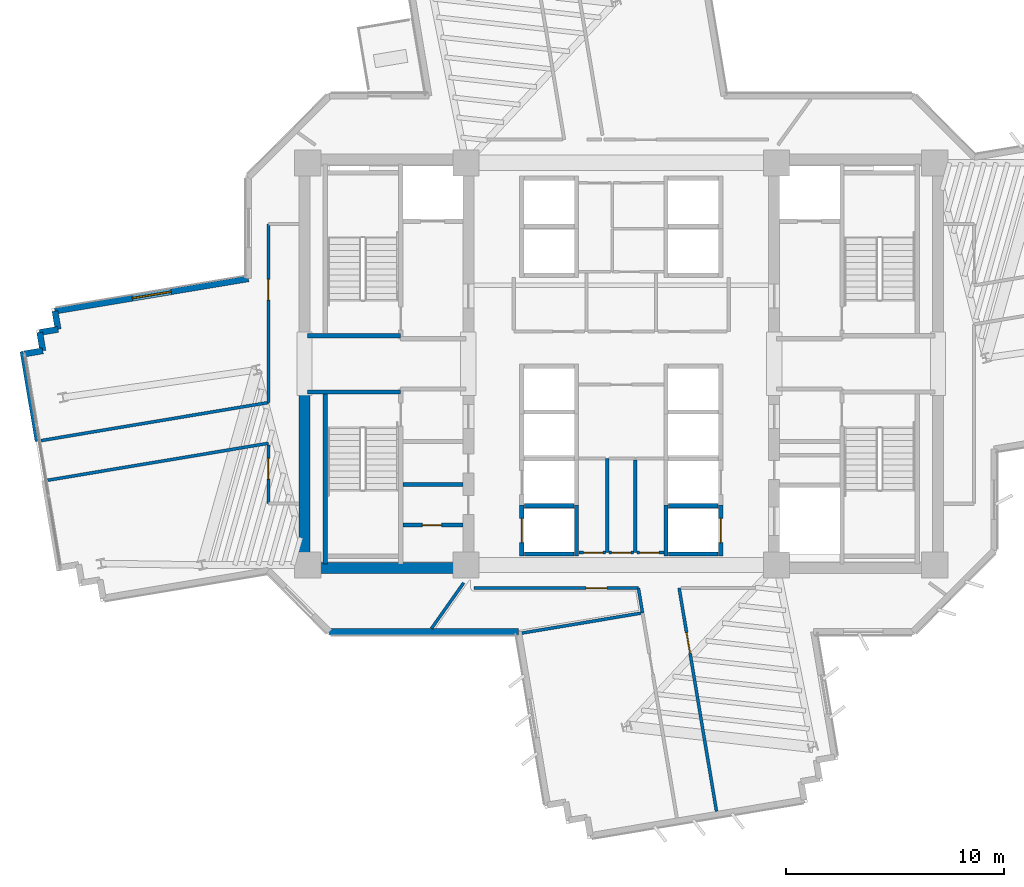
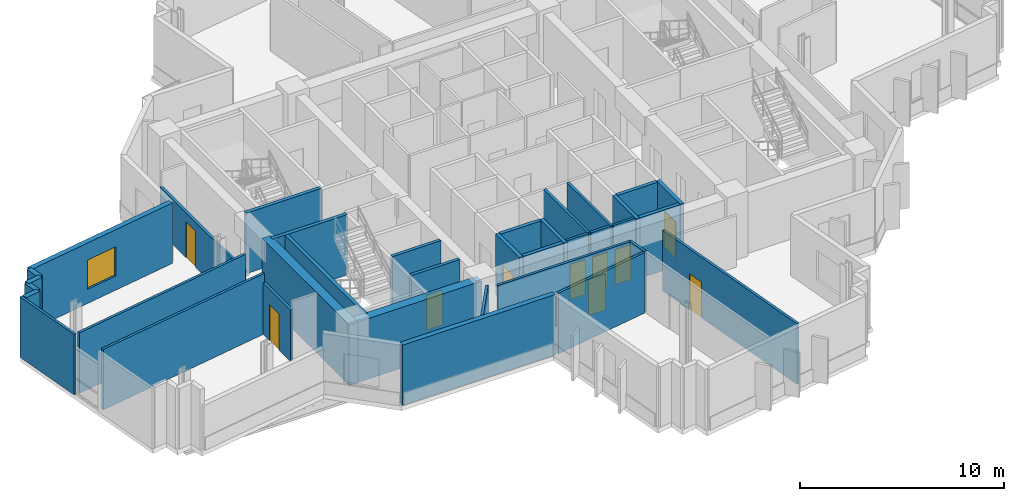
# One storey, part 7 of 15: 36 walls, 10 doors, 1 window, 11 openings.
"""IFC4 building model written with IfcOpenShell, lengths in metres."""

from ifc_helpers import new_model, si_unit, direction, frame, frame_2d, origin, place, context, subcontext, project, spatial, rectangle, extrude, source, transform, mapped, material, layer, layer_set, type_object, element, fill, save


model = new_model("IFC4")

# Units and contexts
model_context = context("Model", 3, precision=1e-05, world=origin(), true_north=direction((0.0, 1.0)))
body_context = subcontext(model_context, "Body", "Model", "MODEL_VIEW")
ifc_project = project(units=[si_unit("LENGTHUNIT", "METRE"), si_unit("AREAUNIT", "SQUARE_METRE"), si_unit("VOLUMEUNIT", "CUBIC_METRE"), si_unit("PLANEANGLEUNIT", "RADIAN"), si_unit("MASSUNIT", "GRAM", prefix="KILO")], contexts=[model_context])

# Site, building, storey
site_placement = place(None, origin())
site = spatial("IfcSite", under=ifc_project, at=site_placement, CompositionType="ELEMENT")
building_placement = place(site_placement, origin())
building = spatial("IfcBuilding", under=site, at=building_placement, Name="Zahravan Cultural Tower", CompositionType="ELEMENT")
storey_placement = place(building_placement, frame((0.0, 0.0, 135.60009765625)))
storey = spatial("IfcBuildingStorey", under=building, at=storey_placement, Name="L30", CompositionType="ELEMENT", Elevation=135.60009765625)

# Wall, opening, window
ifc_material_1 = material(Name="Precast concrete C40/50", Category="concrete")
ifc_layer_1 = layer(ifc_material_1, 0.280029296875)
ifc_layer_set_1 = layer_set([ifc_layer_1], Name="Precast concrete C40/50")
wall_type_1 = type_object("IfcWallType", Name="EW-TC-280", PredefinedType="SOLIDWALL", material=ifc_layer_set_1)
wall_1_placement = place(storey_placement, frame((10.0859375, 29.416015625, 0.0), z_axis=(0.0, 0.0, 1.0), x_axis=(0.98628492446, 0.165051651865, 0.0)))
wall_1 = element("IfcWall", 1, at=wall_1_placement, inside=storey, type_object=wall_type_1, Name="L30 Exterior Masonry Frame Wall 36", PredefinedType="SOLIDWALL", context=body_context, shape_type="SweptSolid", body=[
    extrude(rectangle(XDim=8.97705078125, YDim=0.280029296875, at=frame_2d((4.488525390625, 0.0))), origin(), (0.0, 0.0, 1.0), 3.619873046875),
])
opening_1_placement = place(wall_1_placement, frame((3.589111328125, 0.0, 0.85009765625)))
opening_1 = element("IfcOpeningElement", 2, at=opening_1_placement, cuts=wall_1, Name="Opening WN-02", PredefinedType="OPENING", context=body_context, shape_type="SweptSolid", body=[
    extrude(rectangle(XDim=1.800048828125, YDim=1.75, at=frame_2d((0.89990234375, 0.875))), frame((0.0, 0.14990234375, 0.0), z_axis=(0.0, -1.0, 0.0), x_axis=(1.0, 0.0, 0.0)), (0.0, 0.0, 1.0), 0.300048828125),
])
ifc_material_2 = material(Name="Low-E solar-control double glazing", Category="glass")
window_type = type_object("IfcWindowType", Name="WN-REC-1800X1750", PartitioningType="DOUBLE_PANEL_VERTICAL", PredefinedType="WINDOW", material=ifc_material_2)
shared_shape_1 = source(origin(), body_context, "Body", "SweptSolid", [
    extrude(rectangle(XDim=1.800048828125, YDim=1.75, at=frame_2d((0.89990234375, 0.875))), frame((0.0, 0.030029296875, 0.0), z_axis=(0.0, -1.0, 0.0), x_axis=(1.0, 0.0, 0.0)), (0.0, 0.0, 1.0), 0.06005859375),
])
window_placement = place(opening_1_placement, origin())
window = element("IfcWindow", 3, at=window_placement, inside=storey, type_object=window_type, Name="L30 Recessed Solar Window 07", OverallHeight=1.75, OverallWidth=1.800048828125, PartitioningType="DOUBLE_PANEL_VERTICAL", PredefinedType="WINDOW", context=body_context, shape_type="MappedRepresentation", body=[
    mapped(shared_shape_1, transform((0.0, 0.0, 0.0), x_axis=(1.0, 0.0, 0.0), y_axis=(0.0, 1.0, 0.0), z_axis=(0.0, 0.0, 1.0), scale=1.0)),
])
fill(opening_1, window)

# Wall, opening, door
ifc_material_3 = material(Name="Gypsum plasterboard partition")
ifc_layer_2 = layer(ifc_material_3, 0.179931640625)
ifc_layer_set_2 = layer_set([ifc_layer_2], Name="Gypsum plasterboard partition")
wall_type_2 = type_object("IfcWallType", Name="W-COMP-180", PredefinedType="PARTITIONING", material=ifc_layer_set_2)
wall_2_placement = place(storey_placement, frame((26.0, 19.6201171875, 0.0), z_axis=(0.0, 0.0, 1.0), x_axis=(1.0, 0.0, 0.0)))
wall_2 = element("IfcWall", 4, at=wall_2_placement, inside=storey, type_object=wall_type_2, Name="L30 Interior Wall 026", PredefinedType="PARTITIONING", context=body_context, shape_type="SweptSolid", body=[
    extrude(rectangle(XDim=2.75, YDim=0.179931640625, at=frame_2d((1.375, 0.0))), origin(), (0.0, 0.0, 1.0), 3.619873046875),
])
opening_2_placement = place(wall_2_placement, frame((0.89990234375, 0.0, 0.0)))
opening_2 = element("IfcOpeningElement", 5, at=opening_2_placement, cuts=wall_2, Name="Opening D-L30-09", PredefinedType="OPENING", context=body_context, shape_type="SweptSolid", body=[
    extrude(rectangle(XDim=0.8798828125, YDim=2.10009765625, at=frame_2d((0.43994140625, 1.050048828125))), frame((0.0, 0.099853515625, 0.0), z_axis=(0.0, -1.0, 0.0), x_axis=(1.0, 0.0, 0.0)), (0.0, 0.0, 1.0), 0.199951171875),
])
ifc_material_4 = material(Name="Steel ASTM A572 Grade 50", Category="steel")
door_type_1 = type_object("IfcDoorType", Name="DR-SVC-880", OperationType="NOTDEFINED", PredefinedType="DOOR", material=ifc_material_4)
shared_shape_2 = source(origin(), body_context, "Body", "SweptSolid", [
    extrude(rectangle(XDim=0.8798828125, YDim=2.10009765625, at=frame_2d((0.43994140625, 1.050048828125))), frame((0.0, 0.02490234375, 0.0), z_axis=(0.0, -1.0, 0.0), x_axis=(1.0, 0.0, 0.0)), (0.0, 0.0, 1.0), 0.050048828125),
])
door_1_placement = place(opening_2_placement, origin())
door_1 = element("IfcDoor", 6, at=door_1_placement, inside=storey, type_object=door_type_1, Name="L30 Door D-L30-09", OperationType="SINGLE_SWING_RIGHT", OverallHeight=2.10009765625, OverallWidth=0.8798828125, PredefinedType="DOOR", context=body_context, shape_type="MappedRepresentation", body=[
    mapped(shared_shape_2, transform((0.0, 0.0, 0.0), x_axis=(1.0, 0.0, 0.0), y_axis=(0.0, 1.0, 0.0), z_axis=(0.0, 0.0, 1.0), scale=1.0)),
])
fill(opening_2, door_1)

ifc_layer_3 = layer(ifc_material_3, 0.139892578125)
ifc_layer_set_3 = layer_set([ifc_layer_3], Name="Gypsum plasterboard partition")
wall_type_3 = type_object("IfcWallType", Name="W-PART-140", PredefinedType="PARTITIONING", material=ifc_layer_set_3)
wall_3_placement = place(storey_placement, frame((36.56494140625, 18.360107421875, 0.0), z_axis=(0.0, 0.0, 1.0), x_axis=(-1.0, 0.0, 0.0)))
wall_3 = element("IfcWall", 7, at=wall_3_placement, inside=storey, type_object=wall_type_3, Name="L30 Interior Wall 077", PredefinedType="PARTITIONING", context=body_context, shape_type="SweptSolid", body=[
    extrude(rectangle(XDim=1.1298828125, YDim=0.139892578125, at=frame_2d((0.56494140625, 0.0))), origin(), (0.0, 0.0, 1.0), 3.619873046875),
])
opening_3_placement = place(wall_3_placement, frame((0.125, 0.0, 0.0)))
opening_3 = element("IfcOpeningElement", 8, at=opening_3_placement, cuts=wall_3, Name="Opening D-L30-19", PredefinedType="OPENING", context=body_context, shape_type="SweptSolid", body=[
    extrude(rectangle(XDim=0.8798828125, YDim=2.10009765625, at=frame_2d((0.43994140625, 1.050048828125))), frame((0.0, 0.079833984375, 0.0), z_axis=(0.0, -1.0, 0.0), x_axis=(1.0, 0.0, 0.0)), (0.0, 0.0, 1.0), 0.159912109375),
])
ifc_material_5 = material(Name="Anodised bronze-aluminium mullion", Category="aluminium")
door_type_2 = type_object("IfcDoorType", Name="DR-ROOM-880", OperationType="NOTDEFINED", PredefinedType="DOOR", material=ifc_material_5)
door_2_placement = place(opening_3_placement, origin())
door_2 = element("IfcDoor", 9, at=door_2_placement, inside=storey, type_object=door_type_2, Name="L30 Door D-L30-19", OperationType="SINGLE_SWING_RIGHT", OverallHeight=2.10009765625, OverallWidth=0.8798828125, PredefinedType="DOOR", context=body_context, shape_type="MappedRepresentation", body=[
    mapped(shared_shape_2, transform((0.0, 0.0, 0.0), x_axis=(1.0, 0.0, 0.0), y_axis=(0.0, 1.0, 0.0), z_axis=(0.0, 0.0, 1.0), scale=1.0)),
])
fill(opening_3, door_2)

wall_4_placement = place(storey_placement, frame((35.284912109375, 18.360107421875, 0.0), z_axis=(0.0, 0.0, 1.0), x_axis=(-1.0, 0.0, 0.0)))
wall_4 = element("IfcWall", 10, at=wall_4_placement, inside=storey, type_object=wall_type_3, Name="L30 Interior Wall 079", PredefinedType="PARTITIONING", context=body_context, shape_type="SweptSolid", body=[
    extrude(rectangle(XDim=1.22998046875, YDim=0.139892578125, at=frame_2d((0.614990234375, 0.0))), origin(), (0.0, 0.0, 1.0), 3.619873046875),
])
opening_4_placement = place(wall_4_placement, frame((0.12255859375, 0.0, 0.0)))
opening_4 = element("IfcOpeningElement", 11, at=opening_4_placement, cuts=wall_4, Name="Opening D-L30-18", PredefinedType="OPENING", context=body_context, shape_type="SweptSolid", body=[
    extrude(rectangle(XDim=0.8798828125, YDim=2.10009765625, at=frame_2d((0.43994140625, 1.050048828125))), frame((0.0, 0.079833984375, 0.0), z_axis=(0.0, -1.0, 0.0), x_axis=(1.0, 0.0, 0.0)), (0.0, 0.0, 1.0), 0.159912109375),
])
door_3_placement = place(opening_4_placement, origin())
door_3 = element("IfcDoor", 12, at=door_3_placement, inside=storey, type_object=door_type_2, Name="L30 Door D-L30-18", OperationType="SINGLE_SWING_LEFT", OverallHeight=2.10009765625, OverallWidth=0.8798828125, PredefinedType="DOOR", context=body_context, shape_type="MappedRepresentation", body=[
    mapped(shared_shape_2, transform((0.0, 0.0, 0.0), x_axis=(1.0, 0.0, 0.0), y_axis=(0.0, 1.0, 0.0), z_axis=(0.0, 0.0, 1.0), scale=1.0)),
])
fill(opening_4, door_3)

wall_5_placement = place(storey_placement, frame((37.945068359375, 18.360107421875, 0.0), z_axis=(0.0, 0.0, 1.0), x_axis=(-1.0, 0.0, 0.0)))
wall_5 = element("IfcWall", 13, at=wall_5_placement, inside=storey, type_object=wall_type_3, Name="L30 Interior Wall 081", PredefinedType="PARTITIONING", context=body_context, shape_type="SweptSolid", body=[
    extrude(rectangle(XDim=1.22998046875, YDim=0.139892578125, at=frame_2d((0.614990234375, 0.0))), origin(), (0.0, 0.0, 1.0), 3.619873046875),
])
opening_5_placement = place(wall_5_placement, frame((0.2275390625, 0.0, 0.0)))
opening_5 = element("IfcOpeningElement", 14, at=opening_5_placement, cuts=wall_5, Name="Opening D-L30-20", PredefinedType="OPENING", context=body_context, shape_type="SweptSolid", body=[
    extrude(rectangle(XDim=0.8798828125, YDim=2.10009765625, at=frame_2d((0.43994140625, 1.050048828125))), frame((0.0, 0.079833984375, 0.0), z_axis=(0.0, -1.0, 0.0), x_axis=(1.0, 0.0, 0.0)), (0.0, 0.0, 1.0), 0.159912109375),
])
door_4_placement = place(opening_5_placement, origin())
door_4 = element("IfcDoor", 15, at=door_4_placement, inside=storey, type_object=door_type_2, Name="L30 Door D-L30-20", OperationType="SINGLE_SWING_LEFT", OverallHeight=2.10009765625, OverallWidth=0.8798828125, PredefinedType="DOOR", context=body_context, shape_type="MappedRepresentation", body=[
    mapped(shared_shape_2, transform((0.0, 0.0, 0.0), x_axis=(1.0, 0.0, 0.0), y_axis=(0.0, 1.0, 0.0), z_axis=(0.0, 0.0, 1.0), scale=1.0)),
])
fill(opening_5, door_4)

wall_6_placement = place(storey_placement, frame((29.257568359375, 16.740234375, 0.0), z_axis=(0.0, 0.0, 1.0), x_axis=(0.999999999474, -3.2436991e-05, 0.0)))
wall_6 = element("IfcWall", 16, at=wall_6_placement, inside=storey, type_object=wall_type_3, Name="L30 Interior Wall 092", PredefinedType="PARTITIONING", context=body_context, shape_type="SweptSolid", body=[
    extrude(rectangle(XDim=7.526611328125, YDim=0.139892578125, at=frame_2d((3.76318359375, 0.0))), origin(), (0.0, 0.0, 1.0), 3.619873046875),
])
opening_6_placement = place(wall_6_placement, frame((5.129638671875, 0.0, 0.0)))
opening_6 = element("IfcOpeningElement", 17, at=opening_6_placement, cuts=wall_6, Name="Opening D-L30-26", PredefinedType="OPENING", context=body_context, shape_type="SweptSolid", body=[
    extrude(rectangle(XDim=0.949951171875, YDim=2.14990234375, at=frame_2d((0.47509765625, 1.074951171875))), frame((0.0, 0.079833984375, 0.0), z_axis=(0.0, -1.0, 0.0), x_axis=(1.0, 0.0, 0.0)), (0.0, 0.0, 1.0), 0.159912109375),
])
door_type_3 = type_object("IfcDoorType", Name="DR-ROOM-950", OperationType="NOTDEFINED", PredefinedType="DOOR", material=ifc_material_5)
shared_shape_3 = source(origin(), body_context, "Body", "SweptSolid", [
    extrude(rectangle(XDim=0.949951171875, YDim=2.14990234375, at=frame_2d((0.47509765625, 1.074951171875))), frame((0.0, 0.02490234375, 0.0), z_axis=(0.0, -1.0, 0.0), x_axis=(1.0, 0.0, 0.0)), (0.0, 0.0, 1.0), 0.050048828125),
])
door_5_placement = place(opening_6_placement, origin())
door_5 = element("IfcDoor", 18, at=door_5_placement, inside=storey, type_object=door_type_3, Name="L30 Door D-L30-26", OperationType="SINGLE_SWING_LEFT", OverallHeight=2.14990234375, OverallWidth=0.949951171875, PredefinedType="DOOR", context=body_context, shape_type="MappedRepresentation", body=[
    mapped(shared_shape_3, transform((0.0, 0.0, 0.0), x_axis=(1.0, 0.0, 0.0), y_axis=(0.0, 1.0, 0.0), z_axis=(0.0, 0.0, 1.0), scale=1.0)),
])
fill(opening_6, door_5)

wall_7_placement = place(storey_placement, frame((19.853759765625, 33.3994140625, 0.0), z_axis=(0.0, 0.0, 1.0), x_axis=(-0.000448283031, -0.999999899521, 0.0)))
wall_7 = element("IfcWall", 19, at=wall_7_placement, inside=storey, type_object=wall_type_3, Name="L30 Interior Wall 097", PredefinedType="PARTITIONING", context=body_context, shape_type="SweptSolid", body=[
    extrude(rectangle(XDim=8.169189453125, YDim=0.139892578125, at=frame_2d((4.08447265625, 0.0))), origin(), (0.0, 0.0, 1.0), 2.69287109375),
])
opening_7_placement = place(wall_7_placement, frame((2.52685546875, 0.0, 0.0)))
opening_7 = element("IfcOpeningElement", 20, at=opening_7_placement, cuts=wall_7, Name="Opening D-L30-24", PredefinedType="OPENING", context=body_context, shape_type="SweptSolid", body=[
    extrude(rectangle(XDim=0.949951171875, YDim=2.14990234375, at=frame_2d((0.47509765625, 1.074951171875))), frame((0.0, 0.079833984375, 0.0), z_axis=(0.0, -1.0, 0.0), x_axis=(1.0, 0.0, 0.0)), (0.0, 0.0, 1.0), 0.159912109375),
])
door_6_placement = place(opening_7_placement, origin())
door_6 = element("IfcDoor", 21, at=door_6_placement, inside=storey, type_object=door_type_3, Name="L30 Door D-L30-24", OperationType="SINGLE_SWING_LEFT", OverallHeight=2.14990234375, OverallWidth=0.949951171875, PredefinedType="DOOR", context=body_context, shape_type="MappedRepresentation", body=[
    mapped(shared_shape_3, transform((0.0, 0.0, 0.0), x_axis=(1.0, 0.0, 0.0), y_axis=(0.0, 1.0, 0.0), z_axis=(0.0, 0.0, 1.0), scale=1.0)),
])
fill(opening_7, door_6)

wall_8_placement = place(storey_placement, frame((40.359375, 6.523681640625, 0.0), z_axis=(0.0, 0.0, 1.0), x_axis=(-0.165056345303, 0.986284139016, 0.0)))
wall_8 = element("IfcWall", 22, at=wall_8_placement, inside=storey, type_object=wall_type_3, Name="L30 Interior Wall 102", PredefinedType="PARTITIONING", context=body_context, shape_type="SweptSolid", body=[
    extrude(rectangle(XDim=10.3583984375, YDim=0.139892578125, at=frame_2d((5.17919921875, 0.0))), origin(), (0.0, 0.0, 1.0), 3.619873046875),
])
opening_8_placement = place(wall_8_placement, frame((7.33837890625, 0.0, 0.0)))
opening_8 = element("IfcOpeningElement", 23, at=opening_8_placement, cuts=wall_8, Name="Opening D-L30-28", PredefinedType="OPENING", context=body_context, shape_type="SweptSolid", body=[
    extrude(rectangle(XDim=0.949951171875, YDim=2.14990234375, at=frame_2d((0.47509765625, 1.074951171875))), frame((0.0, 0.079833984375, 0.0), z_axis=(0.0, -1.0, 0.0), x_axis=(1.0, 0.0, 0.0)), (0.0, 0.0, 1.0), 0.159912109375),
])
door_7_placement = place(opening_8_placement, origin())
door_7 = element("IfcDoor", 24, at=door_7_placement, inside=storey, type_object=door_type_3, Name="L30 Door D-L30-28", OperationType="SINGLE_SWING_LEFT", OverallHeight=2.14990234375, OverallWidth=0.949951171875, PredefinedType="DOOR", context=body_context, shape_type="MappedRepresentation", body=[
    mapped(shared_shape_3, transform((0.0, 0.0, 0.0), x_axis=(1.0, 0.0, 0.0), y_axis=(0.0, 1.0, 0.0), z_axis=(0.0, 0.0, 1.0), scale=1.0)),
])
fill(opening_8, door_7)

wall_9_placement = place(storey_placement, frame((19.85009765625, 23.28857421875, 0.0), z_axis=(0.0, 0.0, 1.0), x_axis=(0.000363372069, -0.99999993398, 0.0)))
wall_9 = element("IfcWall", 25, at=wall_9_placement, inside=storey, type_object=wall_type_3, Name="L30 Interior Wall 107", PredefinedType="PARTITIONING", context=body_context, shape_type="SweptSolid", body=[
    extrude(rectangle(XDim=2.6875, YDim=0.139892578125, at=frame_2d((1.34375, 0.0))), origin(), (0.0, 0.0, 1.0), 3.078857421875),
])
opening_9_placement = place(wall_9_placement, frame((0.608154296875, 0.0, 0.0)))
opening_9 = element("IfcOpeningElement", 26, at=opening_9_placement, cuts=wall_9, Name="Opening D-L30-25", PredefinedType="OPENING", context=body_context, shape_type="SweptSolid", body=[
    extrude(rectangle(XDim=0.949951171875, YDim=2.14990234375, at=frame_2d((0.47509765625, 1.074951171875))), frame((0.0, 0.079833984375, 0.0), z_axis=(0.0, -1.0, 0.0), x_axis=(1.0, 0.0, 0.0)), (0.0, 0.0, 1.0), 0.159912109375),
])
door_8_placement = place(opening_9_placement, origin())
door_8 = element("IfcDoor", 27, at=door_8_placement, inside=storey, type_object=door_type_3, Name="L30 Door D-L30-25", OperationType="SINGLE_SWING_RIGHT", OverallHeight=2.14990234375, OverallWidth=0.949951171875, PredefinedType="DOOR", context=body_context, shape_type="MappedRepresentation", body=[
    mapped(shared_shape_3, transform((0.0, 0.0, 0.0), x_axis=(1.0, 0.0, 0.0), y_axis=(0.0, 1.0, 0.0), z_axis=(0.0, 0.0, 1.0), scale=1.0)),
])
fill(opening_9, door_8)

ifc_material_6 = material(Name="Concrete C45/55", Category="concrete")
ifc_layer_4 = layer(ifc_material_6, 0.199951171875)
ifc_layer_set_4 = layer_set([ifc_layer_4], Name="Concrete C45/55")
wall_type_4 = type_object("IfcWallType", Name="W-SHAFT-200", PredefinedType="SOLIDWALL", material=ifc_layer_set_4)
wall_10_placement = place(storey_placement, frame((31.449951171875, 18.199951171875, 0.0), z_axis=(0.0, 0.0, 1.0), x_axis=(0.0, 1.0, 0.0)))
wall_10 = element("IfcWall", 28, at=wall_10_placement, inside=storey, type_object=wall_type_4, Name="L30 Interior Wall 047", PredefinedType="SOLIDWALL", context=body_context, shape_type="SweptSolid", body=[
    extrude(rectangle(XDim=2.35009765625, YDim=0.199951171875, at=frame_2d((1.175048828125, 0.0))), origin(), (0.0, 0.0, 1.0), 3.619873046875),
])
opening_10_placement = place(wall_10_placement, frame((0.625, 0.0, 0.0)))
opening_10 = element("IfcOpeningElement", 29, at=opening_10_placement, cuts=wall_10, Name="Opening LD-L30-05", PredefinedType="OPENING", context=body_context, shape_type="SweptSolid", body=[
    extrude(rectangle(XDim=1.10009765625, YDim=2.14990234375, at=frame_2d((0.550048828125, 1.074951171875))), frame((0.0, 0.10986328125, 0.0), z_axis=(0.0, -1.0, 0.0), x_axis=(1.0, 0.0, 0.0)), (0.0, 0.0, 1.0), 0.219970703125),
])
door_type_4 = type_object("IfcDoorType", Name="DR-LIFT-1100", OperationType="DOUBLE_DOOR_SLIDING", PredefinedType="DOOR", material=ifc_material_4)
shared_shape_4 = source(origin(), body_context, "Body", "SweptSolid", [
    extrude(rectangle(XDim=1.10009765625, YDim=2.14990234375, at=frame_2d((0.550048828125, 1.074951171875))), frame((0.0, 0.02490234375, 0.0), z_axis=(0.0, -1.0, 0.0), x_axis=(1.0, 0.0, 0.0)), (0.0, 0.0, 1.0), 0.050048828125),
])
door_9_placement = place(opening_10_placement, origin())
door_9 = element("IfcDoor", 30, at=door_9_placement, inside=storey, type_object=door_type_4, Name="L30 Door LD-L30-05", OperationType="DOUBLE_DOOR_SLIDING", OverallHeight=2.14990234375, OverallWidth=1.10009765625, PredefinedType="DOOR", context=body_context, shape_type="MappedRepresentation", body=[
    mapped(shared_shape_4, transform((0.0, 0.0, 0.0), x_axis=(1.0, 0.0, 0.0), y_axis=(0.0, 1.0, 0.0), z_axis=(0.0, 0.0, 1.0), scale=1.0)),
])
fill(opening_10, door_9)

wall_11_placement = place(storey_placement, frame((40.550048828125, 18.199951171875, 0.0), z_axis=(0.0, 0.0, 1.0), x_axis=(0.0, 1.0, 0.0)))
wall_11 = element("IfcWall", 31, at=wall_11_placement, inside=storey, type_object=wall_type_4, Name="L30 Interior Wall 055", PredefinedType="SOLIDWALL", context=body_context, shape_type="SweptSolid", body=[
    extrude(rectangle(XDim=2.35009765625, YDim=0.199951171875, at=frame_2d((1.175048828125, 0.0))), origin(), (0.0, 0.0, 1.0), 3.619873046875),
])
opening_11_placement = place(wall_11_placement, frame((0.625, 0.0, 0.0)))
opening_11 = element("IfcOpeningElement", 32, at=opening_11_placement, cuts=wall_11, Name="Opening LD-L30-07", PredefinedType="OPENING", context=body_context, shape_type="SweptSolid", body=[
    extrude(rectangle(XDim=1.10009765625, YDim=2.14990234375, at=frame_2d((0.550048828125, 1.074951171875))), frame((0.0, 0.10986328125, 0.0), z_axis=(0.0, -1.0, 0.0), x_axis=(1.0, 0.0, 0.0)), (0.0, 0.0, 1.0), 0.219970703125),
])
door_10_placement = place(opening_11_placement, origin())
door_10 = element("IfcDoor", 33, at=door_10_placement, inside=storey, type_object=door_type_4, Name="L30 Door LD-L30-07", OperationType="DOUBLE_DOOR_SLIDING", OverallHeight=2.14990234375, OverallWidth=1.10009765625, PredefinedType="DOOR", context=body_context, shape_type="MappedRepresentation", body=[
    mapped(shared_shape_4, transform((0.0, 0.0, 0.0), x_axis=(1.0, 0.0, 0.0), y_axis=(0.0, 1.0, 0.0), z_axis=(0.0, 0.0, 1.0), scale=1.0)),
])
fill(opening_11, door_10)

# Walls
ifc_material_7 = material(Name="Concrete C60/75", Category="concrete")
ifc_layer_5 = layer(ifc_material_7, 0.5)
ifc_layer_set_5 = layer_set([ifc_layer_5], Name="Concrete C60/75")
wall_type_5 = type_object("IfcWallType", Name="CW-SHEAR-500-C60", PredefinedType="SHEAR", material=ifc_layer_set_5)
shared_shape_5 = source(origin(), body_context, "Body", "SweptSolid", [
    extrude(rectangle(XDim=8.550048828125, YDim=0.5, at=frame_2d((4.27490234375, 0.0))), origin(), (0.0, 0.0, 1.0), 3.619873046875),
])
wall_12_placement = place(storey_placement, frame((21.5, 17.39990234375, 0.0), z_axis=(0.0, 0.0, 1.0), x_axis=(0.0, 1.0, 0.0)))
element("IfcWall", 34, at=wall_12_placement, inside=storey, type_object=wall_type_5, Name="L30 Core Shear Wall CW-W-WS-L30", PredefinedType="SHEAR", context=body_context, shape_type="MappedRepresentation", body=[
    mapped(shared_shape_5, transform((0.0, 0.0, 0.0), x_axis=(1.0, 0.0, 0.0), y_axis=(0.0, 1.0, 0.0), z_axis=(0.0, 0.0, 1.0), scale=1.0)),
])
shared_shape_6 = source(origin(), body_context, "Body", "SweptSolid", [
    extrude(rectangle(XDim=7.0, YDim=0.5, at=frame_2d((3.5, 0.0))), origin(), (0.0, 0.0, 1.0), 3.619873046875),
])
wall_13_placement = place(storey_placement, frame((21.75, 17.64990234375, 0.0), z_axis=(0.0, 0.0, 1.0), x_axis=(1.0, 0.0, 0.0)))
element("IfcWall", 35, at=wall_13_placement, inside=storey, type_object=wall_type_5, Name="L30 Core Shear Wall CW-W-S-L30", PredefinedType="SHEAR", context=body_context, shape_type="MappedRepresentation", body=[
    mapped(shared_shape_6, transform((0.0, 0.0, 0.0), x_axis=(1.0, 0.0, 0.0), y_axis=(0.0, 1.0, 0.0), z_axis=(0.0, 0.0, 1.0), scale=1.0)),
])
shared_shape_7 = source(origin(), body_context, "Body", "SweptSolid", [
    extrude(rectangle(XDim=0.85009765625, YDim=0.280029296875, at=frame_2d((0.425048828125, 0.0))), origin(), (0.0, 0.0, 1.0), 3.619873046875),
])
for number, where, z_axis, x_axis, name in (
    (36, (8.689697265625, 27.458740234375, 0.0), (0.0, 0.0, 1.0), (0.986269444653, 0.16514412658, 0.0), "L30 Exterior Masonry Frame Wall 32"),
    (37, (9.528076171875, 27.59912109375, 0.0), (0.0, 0.0, 1.0), (-0.16514412658, 0.986269444653, 0.0), "L30 Exterior Masonry Frame Wall 33"),
    (38, (9.3876953125, 28.4375, 0.0), (0.0, 0.0, 1.0), (0.986316186628, 0.164864732418, 0.0), "L30 Exterior Masonry Frame Wall 34"),
    (39, (10.22607421875, 28.57763671875, 0.0), (0.0, 0.0, 1.0), (-0.164864732418, 0.986316186628, 0.0), "L30 Exterior Masonry Frame Wall 35"),
):
    element("IfcWall", number, at=place(storey_placement, frame(where, z_axis=z_axis, x_axis=x_axis)), inside=storey, type_object=wall_type_1, Name=name, PredefinedType="SOLIDWALL", context=body_context, shape_type="MappedRepresentation", body=[
        mapped(shared_shape_7, transform((0.0, 0.0, 0.0), x_axis=(1.0, 0.0, 0.0), y_axis=(0.0, 1.0, 0.0), z_axis=(0.0, 0.0, 1.0), scale=1.0)),
    ])
shared_shape_8 = source(origin(), body_context, "Body", "SweptSolid", [
    extrude(rectangle(XDim=8.64111328125, YDim=0.280029296875, at=frame_2d((4.320556640625, 0.0))), origin(), (0.0, 0.0, 1.0), 3.619873046875),
])
wall_14_placement = place(storey_placement, frame((31.299072265625, 14.739990234375, 0.0), z_axis=(0.0, 0.0, 1.0), x_axis=(-1.0, 0.0, 0.0)))
element("IfcWall", 40, at=wall_14_placement, inside=storey, type_object=wall_type_1, Name="L30 Exterior Masonry Frame Wall 25", PredefinedType="SOLIDWALL", context=body_context, shape_type="MappedRepresentation", body=[
    mapped(shared_shape_8, transform((0.0, 0.0, 0.0), x_axis=(1.0, 0.0, 0.0), y_axis=(0.0, 1.0, 0.0), z_axis=(0.0, 0.0, 1.0), scale=1.0)),
])
shared_shape_9 = source(origin(), body_context, "Body", "SweptSolid", [
    extrude(rectangle(XDim=7.869873046875, YDim=0.199951171875, at=frame_2d((3.93505859375, 0.0))), origin(), (0.0, 0.0, 1.0), 3.619873046875),
])
wall_15_placement = place(storey_placement, frame((22.449951171875, 17.85009765625, 0.0), z_axis=(0.0, 0.0, 1.0), x_axis=(0.0, 1.0, 0.0)))
element("IfcWall", 41, at=wall_15_placement, inside=storey, type_object=wall_type_4, Name="L30 Interior Wall 001", PredefinedType="SOLIDWALL", context=body_context, shape_type="MappedRepresentation", body=[
    mapped(shared_shape_9, transform((0.0, 0.0, 0.0), x_axis=(1.0, 0.0, 0.0), y_axis=(0.0, 1.0, 0.0), z_axis=(0.0, 0.0, 1.0), scale=1.0)),
])
shared_shape_10 = source(origin(), body_context, "Body", "SweptSolid", [
    extrude(rectangle(XDim=4.25, YDim=0.199951171875, at=frame_2d((2.125, 0.0))), origin(), (0.0, 0.0, 1.0), 3.619873046875),
])
for number, where, z_axis, x_axis, name in (
    (42, (21.64990234375, 25.715087890625, 0.0), (0.0, 0.0, 1.0), (1.0, 0.0, 0.0), "L30 Interior Wall 009"),
    (43, (21.64990234375, 28.284912109375, 0.0), (0.0, 0.0, 1.0), (1.0, 0.0, 0.0), "L30 Interior Wall 011"),
):
    element("IfcWall", number, at=place(storey_placement, frame(where, z_axis=z_axis, x_axis=x_axis)), inside=storey, type_object=wall_type_4, Name=name, PredefinedType="SOLIDWALL", context=body_context, shape_type="MappedRepresentation", body=[
        mapped(shared_shape_10, transform((0.0, 0.0, 0.0), x_axis=(1.0, 0.0, 0.0), y_axis=(0.0, 1.0, 0.0), z_axis=(0.0, 0.0, 1.0), scale=1.0)),
    ])
shared_shape_11 = source(origin(), body_context, "Body", "SweptSolid", [
    extrude(rectangle(XDim=2.75, YDim=0.179931640625, at=frame_2d((1.375, 0.0))), origin(), (0.0, 0.0, 1.0), 3.619873046875),
])
wall_16_placement = place(storey_placement, frame((26.0, 21.47998046875, 0.0), z_axis=(0.0, 0.0, 1.0), x_axis=(1.0, 0.0, 0.0)))
element("IfcWall", 44, at=wall_16_placement, inside=storey, type_object=wall_type_2, Name="L30 Interior Wall 027", PredefinedType="PARTITIONING", context=body_context, shape_type="MappedRepresentation", body=[
    mapped(shared_shape_11, transform((0.0, 0.0, 0.0), x_axis=(1.0, 0.0, 0.0), y_axis=(0.0, 1.0, 0.0), z_axis=(0.0, 0.0, 1.0), scale=1.0)),
])
shared_shape_12 = source(origin(), body_context, "Body", "SweptSolid", [
    extrude(rectangle(XDim=2.260009765625, YDim=0.199951171875, at=frame_2d((1.1298828125, 0.0))), origin(), (0.0, 0.0, 1.0), 3.619873046875),
])
for number, where, z_axis, x_axis, name in (
    (45, (31.570068359375, 20.5, 0.0), (0.0, 0.0, 1.0), (1.0, 0.0, 0.0), "L30 Interior Wall 045"),
    (46, (31.570068359375, 18.300048828125, 0.0), (0.0, 0.0, 1.0), (1.0, 0.0, 0.0), "L30 Interior Wall 049"),
    (47, (38.169921875, 20.5, 0.0), (0.0, 0.0, 1.0), (1.0, 0.0, 0.0), "L30 Interior Wall 052"),
    (48, (38.169921875, 18.300048828125, 0.0), (0.0, 0.0, 1.0), (1.0, 0.0, 0.0), "L30 Interior Wall 056"),
):
    element("IfcWall", number, at=place(storey_placement, frame(where, z_axis=z_axis, x_axis=x_axis)), inside=storey, type_object=wall_type_4, Name=name, PredefinedType="SOLIDWALL", context=body_context, shape_type="MappedRepresentation", body=[
        mapped(shared_shape_12, transform((0.0, 0.0, 0.0), x_axis=(1.0, 0.0, 0.0), y_axis=(0.0, 1.0, 0.0), z_axis=(0.0, 0.0, 1.0), scale=1.0)),
    ])
shared_shape_13 = source(origin(), body_context, "Body", "SweptSolid", [
    extrude(rectangle(XDim=2.35009765625, YDim=0.199951171875, at=frame_2d((1.175048828125, 0.0))), origin(), (0.0, 0.0, 1.0), 3.619873046875),
])
for number, where, z_axis, x_axis, name in (
    (49, (33.949951171875, 18.199951171875, 0.0), (0.0, 0.0, 1.0), (0.0, 1.0, 0.0), "L30 Interior Wall 048"),
    (50, (38.050048828125, 18.199951171875, 0.0), (0.0, 0.0, 1.0), (0.0, 1.0, 0.0), "L30 Interior Wall 054"),
):
    element("IfcWall", number, at=place(storey_placement, frame(where, z_axis=z_axis, x_axis=x_axis)), inside=storey, type_object=wall_type_4, Name=name, PredefinedType="SOLIDWALL", context=body_context, shape_type="MappedRepresentation", body=[
        mapped(shared_shape_13, transform((0.0, 0.0, 0.0), x_axis=(1.0, 0.0, 0.0), y_axis=(0.0, 1.0, 0.0), z_axis=(0.0, 0.0, 1.0), scale=1.0)),
    ])
shared_shape_14 = source(origin(), body_context, "Body", "SweptSolid", [
    extrude(rectangle(XDim=4.31982421875, YDim=0.139892578125, at=frame_2d((2.159912109375, 0.0))), origin(), (0.0, 0.0, 1.0), 3.619873046875),
])
wall_17_placement = place(storey_placement, frame((35.360107421875, 18.360107421875, 0.0), z_axis=(0.0, 0.0, 1.0), x_axis=(0.0, 1.0, 0.0)))
element("IfcWall", 51, at=wall_17_placement, inside=storey, type_object=wall_type_3, Name="L30 Interior Wall 074", PredefinedType="PARTITIONING", context=body_context, shape_type="MappedRepresentation", body=[
    mapped(shared_shape_14, transform((0.0, 0.0, 0.0), x_axis=(1.0, 0.0, 0.0), y_axis=(0.0, 1.0, 0.0), z_axis=(0.0, 0.0, 1.0), scale=1.0)),
])
shared_shape_15 = source(origin(), body_context, "Body", "SweptSolid", [
    extrude(rectangle(XDim=4.244873046875, YDim=0.139892578125, at=frame_2d((2.12255859375, 0.0))), origin(), (0.0, 0.0, 1.0), 3.619873046875),
])
wall_18_placement = place(storey_placement, frame((36.639892578125, 22.60498046875, 0.0), z_axis=(0.0, 0.0, 1.0), x_axis=(0.0, -1.0, 0.0)))
element("IfcWall", 52, at=wall_18_placement, inside=storey, type_object=wall_type_3, Name="L30 Interior Wall 076", PredefinedType="PARTITIONING", context=body_context, shape_type="MappedRepresentation", body=[
    mapped(shared_shape_15, transform((0.0, 0.0, 0.0), x_axis=(1.0, 0.0, 0.0), y_axis=(0.0, 1.0, 0.0), z_axis=(0.0, 0.0, 1.0), scale=1.0)),
])
shared_shape_16 = source(origin(), body_context, "Body", "SweptSolid", [
    extrude(rectangle(XDim=1.1513671875, YDim=0.139892578125, at=frame_2d((0.57568359375, 0.0))), origin(), (0.0, 0.0, 1.0), 3.619873046875),
])
wall_19_placement = place(storey_placement, frame((36.7841796875, 16.739990234375, 0.0), z_axis=(0.0, 0.0, 1.0), x_axis=(0.164983559387, -0.986296317104, 0.0)))
element("IfcWall", 53, at=wall_19_placement, inside=storey, type_object=wall_type_3, Name="L30 Interior Wall 093", PredefinedType="PARTITIONING", context=body_context, shape_type="MappedRepresentation", body=[
    mapped(shared_shape_16, transform((0.0, 0.0, 0.0), x_axis=(1.0, 0.0, 0.0), y_axis=(0.0, 1.0, 0.0), z_axis=(0.0, 0.0, 1.0), scale=1.0)),
])
shared_shape_17 = source(origin(), body_context, "Body", "SweptSolid", [
    extrude(rectangle(XDim=5.52001953125, YDim=0.139892578125, at=frame_2d((2.760009765625, 0.0))), origin(), (0.0, 0.0, 1.0), 3.619873046875),
])
wall_20_placement = place(storey_placement, frame((36.900146484375, 15.592041015625, 0.0), z_axis=(0.0, 0.0, 1.0), x_axis=(-0.986290930087, -0.165015760545, 0.0)))
element("IfcWall", 54, at=wall_20_placement, inside=storey, type_object=wall_type_3, Name="L30 Interior Wall 094", PredefinedType="PARTITIONING", context=body_context, shape_type="MappedRepresentation", body=[
    mapped(shared_shape_17, transform((0.0, 0.0, 0.0), x_axis=(1.0, 0.0, 0.0), y_axis=(0.0, 1.0, 0.0), z_axis=(0.0, 0.0, 1.0), scale=1.0)),
])
shared_shape_18 = source(origin(), body_context, "Body", "SweptSolid", [
    extrude(rectangle(XDim=2.56494140625, YDim=0.139892578125, at=frame_2d((1.282470703125, 0.0))), origin(), (0.0, 0.0, 1.0), 3.619873046875),
])
wall_21_placement = place(storey_placement, frame((27.311279296875, 14.885009765625, 0.0), z_axis=(0.0, 0.0, 1.0), x_axis=(0.576926084836, 0.816796359343, 0.0)))
element("IfcWall", 55, at=wall_21_placement, inside=storey, type_object=wall_type_3, Name="L30 Interior Wall 095", PredefinedType="PARTITIONING", context=body_context, shape_type="MappedRepresentation", body=[
    mapped(shared_shape_18, transform((0.0, 0.0, 0.0), x_axis=(1.0, 0.0, 0.0), y_axis=(0.0, 1.0, 0.0), z_axis=(0.0, 0.0, 1.0), scale=1.0)),
])
shared_shape_19 = source(origin(), body_context, "Body", "SweptSolid", [
    extrude(rectangle(XDim=10.54443359375, YDim=0.139892578125, at=frame_2d((5.272216796875, 0.0))), origin(), (0.0, 0.0, 1.0), 3.619873046875),
])
wall_22_placement = place(storey_placement, frame((19.85009765625, 25.230224609375, 0.0), z_axis=(0.0, 0.0, 1.0), x_axis=(-0.986287336963, -0.165037235031, 0.0)))
element("IfcWall", 56, at=wall_22_placement, inside=storey, type_object=wall_type_3, Name="L30 Interior Wall 098", PredefinedType="PARTITIONING", context=body_context, shape_type="MappedRepresentation", body=[
    mapped(shared_shape_19, transform((0.0, 0.0, 0.0), x_axis=(1.0, 0.0, 0.0), y_axis=(0.0, 1.0, 0.0), z_axis=(0.0, 0.0, 1.0), scale=1.0)),
])
shared_shape_20 = source(origin(), body_context, "Body", "SweptSolid", [
    extrude(rectangle(XDim=4.16015625, YDim=0.139892578125, at=frame_2d((2.080078125, 0.0))), origin(), (0.0, 0.0, 1.0), 3.619873046875),
])
wall_23_placement = place(storey_placement, frame((9.238037109375, 23.454345703125, 0.0), z_axis=(0.0, 0.0, 1.0), x_axis=(-0.165027060507, 0.98628903943, 0.0)))
element("IfcWall", 57, at=wall_23_placement, inside=storey, type_object=wall_type_3, Name="L30 Interior Wall 099", PredefinedType="PARTITIONING", context=body_context, shape_type="MappedRepresentation", body=[
    mapped(shared_shape_20, transform((0.0, 0.0, 0.0), x_axis=(1.0, 0.0, 0.0), y_axis=(0.0, 1.0, 0.0), z_axis=(0.0, 0.0, 1.0), scale=1.0)),
])
shared_shape_21 = source(origin(), body_context, "Body", "SweptSolid", [
    extrude(rectangle(XDim=10.236572265625, YDim=0.139892578125, at=frame_2d((5.1181640625, 0.0))), origin(), (0.0, 0.0, 1.0), 3.619873046875),
])
wall_24_placement = place(storey_placement, frame((9.75390625, 21.67529296875, 0.0), z_axis=(0.0, 0.0, 1.0), x_axis=(0.986290594835, 0.165017764319, 0.0)))
element("IfcWall", 58, at=wall_24_placement, inside=storey, type_object=wall_type_3, Name="L30 Interior Wall 106", PredefinedType="PARTITIONING", context=body_context, shape_type="MappedRepresentation", body=[
    mapped(shared_shape_21, transform((0.0, 0.0, 0.0), x_axis=(1.0, 0.0, 0.0), y_axis=(0.0, 1.0, 0.0), z_axis=(0.0, 0.0, 1.0), scale=1.0)),
])

save(model, "model.ifc")
